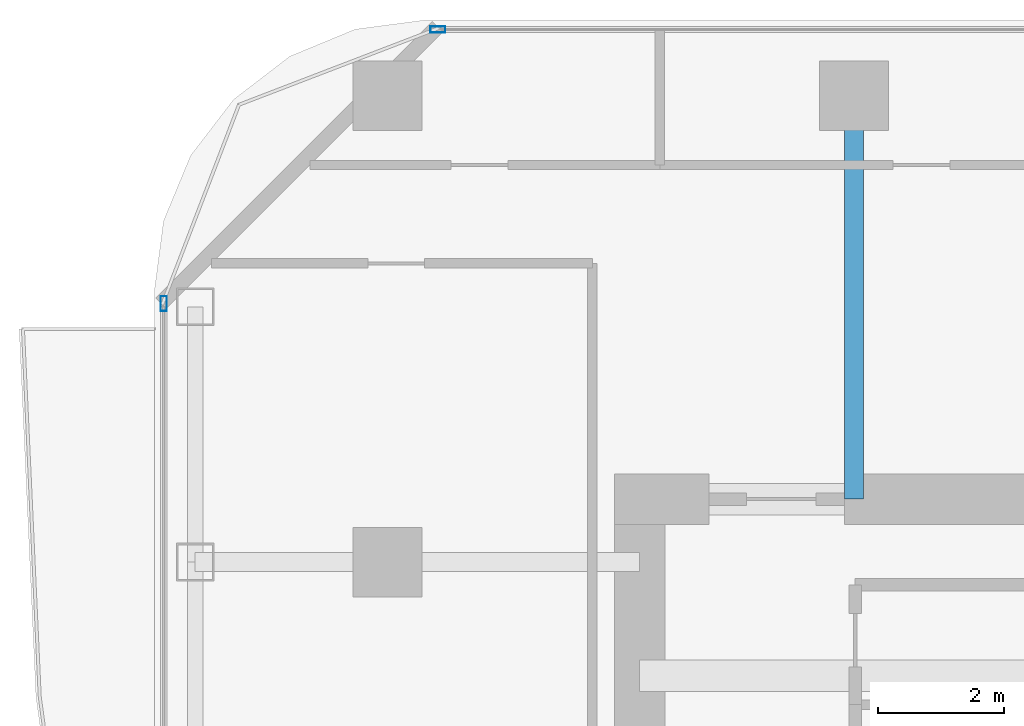
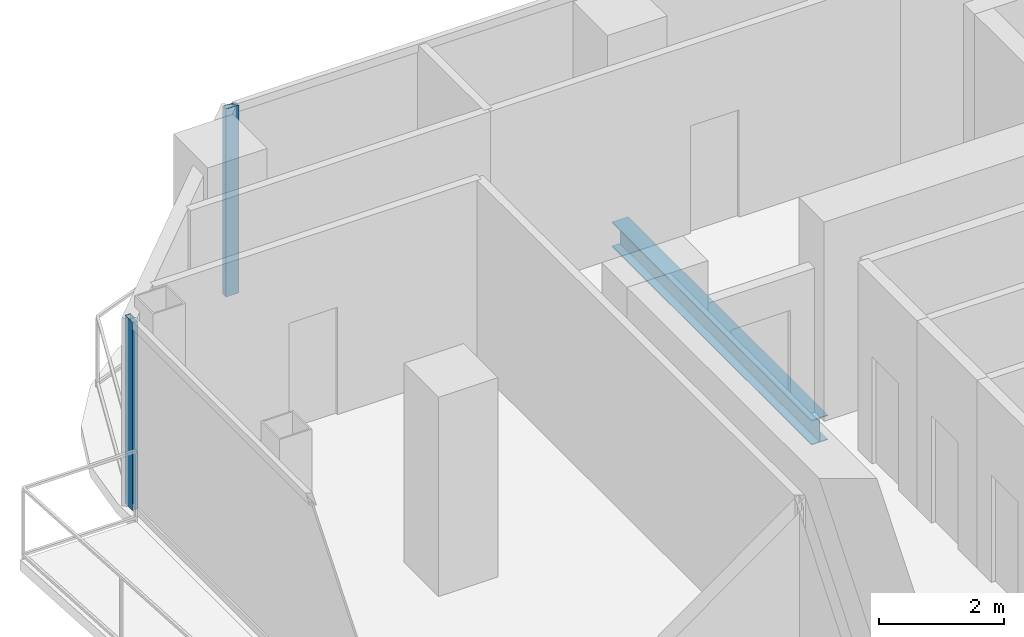
# One storey, part 13 of 27: 2 members, 1 beam, 2 elements without a shape of their own.
"""IFC4 building model written with IfcOpenShell, lengths in metres."""

from ifc_helpers import new_model, si_unit, direction, frame, origin, origin_2d, place, context, subcontext, project, spatial, hollow_rectangle, i_section, extrude, material, layer, layer_set, material_profile, profile_set, type_object, element, aggregate, save


model = new_model("IFC4")

# Units and contexts
model_context = context("Model", 3, precision=1e-05, world=origin(), true_north=direction((0.0, 1.0)))
body_context = subcontext(model_context, "Body", "Model", "MODEL_VIEW")
ifc_project = project(units=[si_unit("LENGTHUNIT", "METRE"), si_unit("AREAUNIT", "SQUARE_METRE"), si_unit("VOLUMEUNIT", "CUBIC_METRE"), si_unit("PLANEANGLEUNIT", "RADIAN"), si_unit("MASSUNIT", "GRAM", prefix="KILO")], contexts=[model_context])

# Site, building, storey
site_placement = place(None, origin())
site = spatial("IfcSite", under=ifc_project, at=site_placement, CompositionType="ELEMENT")
building_placement = place(site_placement, origin())
building = spatial("IfcBuilding", under=site, at=building_placement, Name="Khorvyn Point Tower", CompositionType="ELEMENT")
storey_placement = place(building_placement, frame((0.0, 0.0, 227.39990234375)))
storey = spatial("IfcBuildingStorey", under=building, at=storey_placement, Name="L56", CompositionType="ELEMENT", Elevation=227.39990234375)

# Curtain wall, member
ifc_material_1 = material(Name="Anodised aluminium 6063-T6 and laminated Low-E glass", Category="aluminium")
ifc_layer = layer(ifc_material_1, 0.18994140625)
ifc_layer_set = layer_set([ifc_layer], Name="Stick-Built Acoustic Curtain Wall CW-SYS-03")
curtain_wall_type = type_object("IfcCurtainWallType", Name="Stick-Built Acoustic Curtain Wall CW-SYS-03", PredefinedType="NOTDEFINED", material=ifc_layer_set)
curtain_wall_1_placement = place(storey_placement, origin())
curtain_wall_1 = element("IfcCurtainWall", 1, at=curtain_wall_1_placement, inside=storey, type_object=curtain_wall_type, Name="Curtain Wall", PredefinedType="NOTDEFINED")
ifc_material_2 = material(Name="Anodised aluminium 6063-T6", Category="aluminium")
ifc_material_profile_1 = material_profile(ifc_material_2, hollow_rectangle(XDim=0.10009765625, YDim=0.239990234375, WallThickness=0.0048828125, at=origin_2d()))
ifc_profile_set_1 = profile_set([ifc_material_profile_1], Name="Anodised aluminium 6063-T6 ALU-MUL-100x240")
member_type = type_object("IfcMemberType", Name="Anodised Aluminium 6063-T6 Mullion ALU-MUL-100x240", PredefinedType="MULLION", material=ifc_profile_set_1)
member_1_placement = place(storey_placement, frame((-14.0, 15.85009765625, 0.0), z_axis=(0.0, 0.0, 1.0), x_axis=(0.0, 1.0, 0.0)))
member_1 = element("IfcMember", 2, at=member_1_placement, type_object=member_type, Name="Transom", PredefinedType="MULLION", context=body_context, shape_type="SweptSolid", body=[
    extrude(hollow_rectangle(XDim=0.10009765625, YDim=0.239990234375, WallThickness=0.0048828125, at=origin_2d()), origin(), (0.0, 0.0, 1.0), 3.68017578125),
])
aggregate(curtain_wall_1, [member_1])

curtain_wall_2_placement = place(storey_placement, origin())
curtain_wall_2 = element("IfcCurtainWall", 3, at=curtain_wall_2_placement, inside=storey, type_object=curtain_wall_type, Name="Curtain Wall", PredefinedType="NOTDEFINED")
member_2_placement = place(storey_placement, frame((-18.35009765625, 11.5, 0.0), z_axis=(0.0, 0.0, 1.0), x_axis=(-1.0, 0.0, 0.0)))
member_2 = element("IfcMember", 4, at=member_2_placement, type_object=member_type, Name="Transom", PredefinedType="MULLION", context=body_context, shape_type="SweptSolid", body=[
    extrude(hollow_rectangle(XDim=0.10009765625, YDim=0.239990234375, WallThickness=0.0048828125, at=origin_2d()), origin(), (0.0, 0.0, 1.0), 3.68017578125),
])
aggregate(curtain_wall_2, [member_2])

# Beam
ifc_material_3 = material(Name="Steel S355", Category="steel")
ifc_material_profile_2 = material_profile(ifc_material_3, i_section(OverallWidth=0.300048828125, OverallDepth=0.488037109375, WebThickness=0.010986328125, FlangeThickness=0.01806640625, at=origin_2d()))
ifc_profile_set_2 = profile_set([ifc_material_profile_2], Name="Steel S355 H488x300x11x18")
beam_type = type_object("IfcBeamType", Name="Steel S355 Spandrel H488x300x11x18", PredefinedType="SPANDREL", material=ifc_profile_set_2)
beam_placement = place(storey_placement, frame((-7.39990234375, 8.39990234375, -0.4638671875), z_axis=(0.0, 1.0, 0.0), x_axis=(-1.0, 0.0, 0.0)))
element("IfcBeam", 5, at=beam_placement, inside=storey, type_object=beam_type, Name="Beam", PredefinedType="SPANDREL", context=body_context, shape_type="SweptSolid", body=[
    extrude(i_section(OverallWidth=0.300048828125, OverallDepth=0.488037109375, WebThickness=0.010986328125, FlangeThickness=0.01806640625, at=origin_2d()), origin(), (0.0, 0.0, 1.0), 6.400146484375),
])

save(model, "model.ifc")
